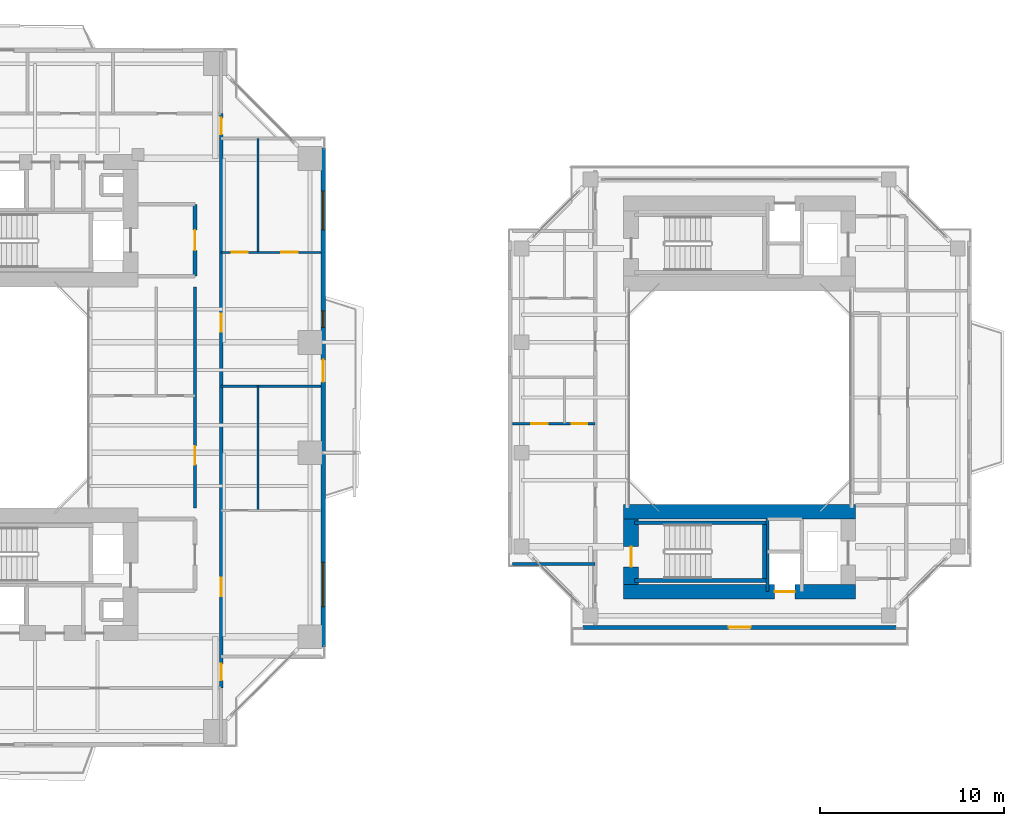
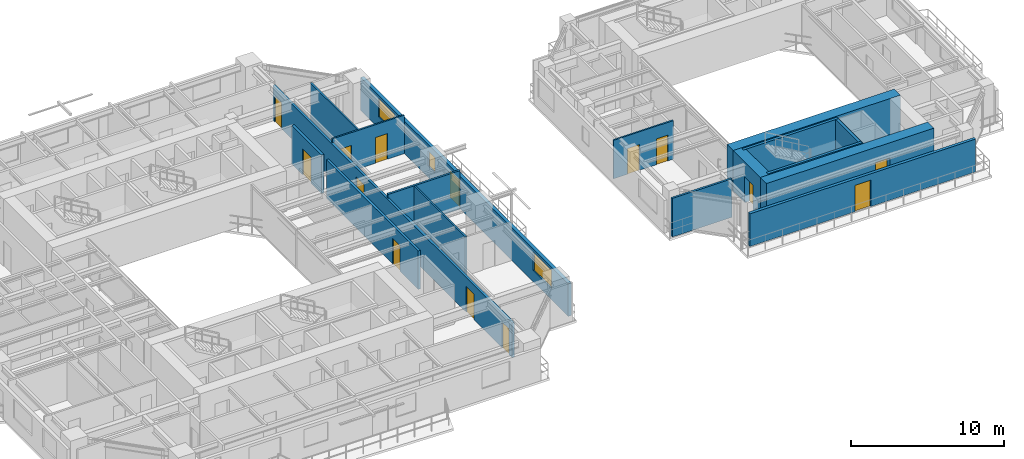
# One storey, part 15 of 24: 18 walls, 14 doors, 3 windows, 17 openings.
"""IFC4 building model written with IfcOpenShell, lengths in metres."""

from ifc_helpers import new_model, si_unit, direction, frame, frame_2d, origin, place, context, subcontext, project, spatial, rectangle, extrude, source, transform, mapped, material, layer, layer_set, type_object, element, fill, save


model = new_model("IFC4")

# Units and contexts
model_context = context("Model", 3, precision=1e-05, world=origin(), true_north=direction((0.0, 1.0)))
body_context = subcontext(model_context, "Body", "Model", "MODEL_VIEW")
ifc_project = project(units=[si_unit("LENGTHUNIT", "METRE"), si_unit("AREAUNIT", "SQUARE_METRE"), si_unit("VOLUMEUNIT", "CUBIC_METRE"), si_unit("PLANEANGLEUNIT", "RADIAN"), si_unit("MASSUNIT", "GRAM", prefix="KILO"), si_unit("THERMODYNAMICTEMPERATUREUNIT", "KELVIN"), si_unit("POWERUNIT", "WATT")], contexts=[model_context])

# Site, building, storey
site_placement = place(None, origin())
site = spatial("IfcSite", under=ifc_project, at=site_placement, CompositionType="ELEMENT")
building_placement = place(site_placement, origin())
building = spatial("IfcBuilding", under=site, at=building_placement, Name="Qiaomeng Ring Towers", CompositionType="ELEMENT")
storey_placement = place(building_placement, frame((0.0, 0.0, 69.75)))
storey = spatial("IfcBuildingStorey", under=building, at=storey_placement, Name="L19", CompositionType="ELEMENT", Elevation=69.75)

# Wall, openings, windows, door
ifc_material_1 = material(Name="Precast concrete C40", Category="concrete")
ifc_layer_1 = layer(ifc_material_1, 0.25, Name="Precast concrete C40")
ifc_layer_set_1 = layer_set([ifc_layer_1], Name="Precast concrete C40")
wall_type_1 = type_object("IfcWallType", Name="ARC-WL-EW1", PredefinedType="STANDARD", material=ifc_layer_set_1)
wall_1_placement = place(storey_placement, frame((37.875, 9.449951171875, 0.0), z_axis=(0.0, 0.0, 1.0), x_axis=(0.0, 1.0, 0.0)))
wall_1 = element("IfcWall", 1, at=wall_1_placement, inside=storey, type_object=wall_type_1, Name="L19 Tower 1 E Exterior Wall", PredefinedType="STANDARD", context=body_context, shape_type="SweptSolid", body=[
    extrude(rectangle(XDim=27.10009765625, YDim=0.25, at=frame_2d((13.550048828125, 0.0))), origin(), (0.0, 0.0, 1.0), 2.610107421875),
])
opening_1_placement = place(wall_1_placement, frame((14.39990234375, 0.0, 0.0)))
opening_1 = element("IfcOpeningElement", 2, at=opening_1_placement, cuts=wall_1, Name="Opening BD1", PredefinedType="OPENING", context=body_context, shape_type="SweptSolid", body=[
    extrude(rectangle(XDim=1.199951171875, YDim=2.10009765625, at=frame_2d((0.60009765625, 1.050048828125))), frame((0.0, 0.135009765625, 0.0), z_axis=(0.0, -1.0, 0.0), x_axis=(1.0, 0.0, 0.0)), (0.0, 0.0, 1.0), 0.27001953125),
])
opening_2_placement = place(wall_1_placement, frame((2.18798828125, 0.0, 0.89990234375)))
opening_2 = element("IfcOpeningElement", 3, at=opening_2_placement, cuts=wall_1, Name="Opening WN6", PredefinedType="OPENING", context=body_context, shape_type="SweptSolid", body=[
    extrude(rectangle(XDim=2.39990234375, YDim=1.47998046875, at=frame_2d((1.199951171875, 0.739990234375))), frame((0.0, 0.135009765625, 0.0), z_axis=(0.0, -1.0, 0.0), x_axis=(1.0, 0.0, 0.0)), (0.0, 0.0, 1.0), 0.27001953125),
])
opening_3_placement = place(wall_1_placement, frame((22.6630859375, 0.0, 0.89990234375)))
opening_3 = element("IfcOpeningElement", 4, at=opening_3_placement, cuts=wall_1, Name="Opening WN4", PredefinedType="OPENING", context=body_context, shape_type="SweptSolid", body=[
    extrude(rectangle(XDim=2.10009765625, YDim=1.47998046875, at=frame_2d((1.050048828125, 0.739990234375))), frame((0.0, 0.135009765625, 0.0), z_axis=(0.0, -1.0, 0.0), x_axis=(1.0, 0.0, 0.0)), (0.0, 0.0, 1.0), 0.27001953125),
])
opening_4_placement = place(wall_1_placement, frame((17.364990234375, 0.0, 0.89990234375)))
opening_4 = element("IfcOpeningElement", 5, at=opening_4_placement, cuts=wall_1, Name="Opening WN5", PredefinedType="OPENING", context=body_context, shape_type="SweptSolid", body=[
    extrude(rectangle(XDim=0.89990234375, YDim=1.199951171875, at=frame_2d((0.449951171875, 0.60009765625))), frame((0.0, 0.135009765625, 0.0), z_axis=(0.0, -1.0, 0.0), x_axis=(1.0, 0.0, 0.0)), (0.0, 0.0, 1.0), 0.27001953125),
])
ifc_material_2 = material(Name="Low-E dark-grey laminated double glazing", Category="glass")
window_type_1 = type_object("IfcWindowType", Name="ARC-WN-4", PartitioningType="TRIPLE_PANEL_VERTICAL", PredefinedType="WINDOW", material=ifc_material_2)
shared_shape_1 = source(origin(), body_context, "Body", "SweptSolid", [
    extrude(rectangle(XDim=2.10009765625, YDim=1.47998046875, at=frame_2d((1.050048828125, 0.739990234375))), frame((0.0, 0.030029296875, 0.0), z_axis=(0.0, -1.0, 0.0), x_axis=(1.0, 0.0, 0.0)), (0.0, 0.0, 1.0), 0.06005859375),
])
window_1_placement = place(opening_3_placement, origin())
window_1 = element("IfcWindow", 6, at=window_1_placement, inside=storey, type_object=window_type_1, Name="L19 Exterior Window WN4", OverallHeight=1.47998046875, OverallWidth=2.10009765625, PartitioningType="TRIPLE_PANEL_VERTICAL", PredefinedType="WINDOW", context=body_context, shape_type="MappedRepresentation", body=[
    mapped(shared_shape_1, transform((0.0, 0.0, 0.0), x_axis=(1.0, 0.0, 0.0), y_axis=(0.0, 1.0, 0.0), z_axis=(0.0, 0.0, 1.0), scale=1.0)),
])
fill(opening_3, window_1)
window_type_2 = type_object("IfcWindowType", Name="ARC-WN-6", PartitioningType="TRIPLE_PANEL_VERTICAL", PredefinedType="WINDOW", material=ifc_material_2)
shared_shape_2 = source(origin(), body_context, "Body", "SweptSolid", [
    extrude(rectangle(XDim=2.39990234375, YDim=1.47998046875, at=frame_2d((1.199951171875, 0.739990234375))), frame((0.0, 0.030029296875, 0.0), z_axis=(0.0, -1.0, 0.0), x_axis=(1.0, 0.0, 0.0)), (0.0, 0.0, 1.0), 0.06005859375),
])
window_2_placement = place(opening_2_placement, origin())
window_2 = element("IfcWindow", 7, at=window_2_placement, inside=storey, type_object=window_type_2, Name="L19 Exterior Window WN6", OverallHeight=1.47998046875, OverallWidth=2.39990234375, PartitioningType="TRIPLE_PANEL_VERTICAL", PredefinedType="WINDOW", context=body_context, shape_type="MappedRepresentation", body=[
    mapped(shared_shape_2, transform((0.0, 0.0, 0.0), x_axis=(1.0, 0.0, 0.0), y_axis=(0.0, 1.0, 0.0), z_axis=(0.0, 0.0, 1.0), scale=1.0)),
])
fill(opening_2, window_2)
door_type_1 = type_object("IfcDoorType", Name="ARC-DR-BD1", OperationType="NOTDEFINED", PredefinedType="DOOR", material=ifc_material_2)
shared_shape_3 = source(origin(), body_context, "Body", "SweptSolid", [
    extrude(rectangle(XDim=1.199951171875, YDim=2.10009765625, at=frame_2d((0.60009765625, 1.050048828125))), frame((0.0, 0.02490234375, 0.0), z_axis=(0.0, -1.0, 0.0), x_axis=(1.0, 0.0, 0.0)), (0.0, 0.0, 1.0), 0.050048828125),
])
door_1_placement = place(opening_1_placement, origin())
door_1 = element("IfcDoor", 8, at=door_1_placement, inside=storey, type_object=door_type_1, Name="L19 E Balcony Glazed Door", OperationType="SINGLE_SWING_LEFT", OverallHeight=2.10009765625, OverallWidth=1.199951171875, PredefinedType="DOOR", context=body_context, shape_type="MappedRepresentation", body=[
    mapped(shared_shape_3, transform((0.0, 0.0, 0.0), x_axis=(1.0, 0.0, 0.0), y_axis=(0.0, 1.0, 0.0), z_axis=(0.0, 0.0, 1.0), scale=1.0)),
])
fill(opening_1, door_1)
window_type_3 = type_object("IfcWindowType", Name="ARC-WN-5", PartitioningType="SINGLE_PANEL", PredefinedType="WINDOW", material=ifc_material_2)
shared_shape_4 = source(origin(), body_context, "Body", "SweptSolid", [
    extrude(rectangle(XDim=0.89990234375, YDim=1.199951171875, at=frame_2d((0.449951171875, 0.60009765625))), frame((0.0, 0.030029296875, 0.0), z_axis=(0.0, -1.0, 0.0), x_axis=(1.0, 0.0, 0.0)), (0.0, 0.0, 1.0), 0.06005859375),
])
window_3_placement = place(opening_4_placement, origin())
window_3 = element("IfcWindow", 9, at=window_3_placement, inside=storey, type_object=window_type_3, Name="L19 Exterior Window WN5", OverallHeight=1.199951171875, OverallWidth=0.89990234375, PartitioningType="SINGLE_PANEL", PredefinedType="WINDOW", context=body_context, shape_type="MappedRepresentation", body=[
    mapped(shared_shape_4, transform((0.0, 0.0, 0.0), x_axis=(1.0, 0.0, 0.0), y_axis=(0.0, 1.0, 0.0), z_axis=(0.0, 0.0, 1.0), scale=1.0)),
])
fill(opening_4, window_3)

# Wall, opening, door
ifc_layer_2 = layer(ifc_material_1, 0.219970703125, Name="Precast concrete C40")
ifc_layer_set_2 = layer_set([ifc_layer_2], Name="Precast concrete C40")
wall_type_2 = type_object("IfcWallType", Name="ARC-WL-EW2", PredefinedType="STANDARD", material=ifc_layer_set_2)
wall_2_placement = place(storey_placement, frame((52.0, 10.510009765625, 0.0), z_axis=(0.0, 0.0, 1.0), x_axis=(1.0, 0.0, 0.0)))
wall_2 = element("IfcWall", 10, at=wall_2_placement, inside=storey, type_object=wall_type_2, Name="L19 Companion South Setback Wall", PredefinedType="STANDARD", context=body_context, shape_type="SweptSolid", body=[
    extrude(rectangle(XDim=17.0, YDim=0.219970703125, at=frame_2d((8.5, 0.0))), origin(), (0.0, 0.0, 1.0), 2.610107421875),
])
opening_5_placement = place(wall_2_placement, frame((7.89990234375, 0.0, 0.0)))
opening_5 = element("IfcOpeningElement", 11, at=opening_5_placement, cuts=wall_2, Name="Opening BD1", PredefinedType="OPENING", context=body_context, shape_type="SweptSolid", body=[
    extrude(rectangle(XDim=1.199951171875, YDim=2.10009765625, at=frame_2d((0.60009765625, 1.050048828125))), frame((0.0, 0.119873046875, 0.0), z_axis=(0.0, -1.0, 0.0), x_axis=(1.0, 0.0, 0.0)), (0.0, 0.0, 1.0), 0.239990234375),
])
door_2_placement = place(opening_5_placement, frame((1.199951171875, 0.0, 0.0), z_axis=(0.0, 0.0, 1.0), x_axis=(-1.0, 0.0, 0.0)))
door_2 = element("IfcDoor", 12, at=door_2_placement, inside=storey, type_object=door_type_1, Name="L19 Companion Setback Terrace Door", OperationType="SINGLE_SWING_LEFT", OverallHeight=2.10009765625, OverallWidth=1.199951171875, PredefinedType="DOOR", context=body_context, shape_type="MappedRepresentation", body=[
    mapped(shared_shape_3, transform((0.0, 0.0, 0.0), x_axis=(1.0, 0.0, 0.0), y_axis=(0.0, 1.0, 0.0), z_axis=(0.0, 0.0, 1.0), scale=1.0)),
])
fill(opening_5, door_2)

ifc_material_3 = material(Name="Autoclaved aerated concrete block", Category="concrete")
ifc_layer_3 = layer(ifc_material_3, 0.199951171875, Name="Autoclaved aerated concrete block")
ifc_layer_set_3 = layer_set([ifc_layer_3], Name="Autoclaved aerated concrete block")
wall_type_3 = type_object("IfcWallType", Name="ARC-WL-PW1", PredefinedType="PARTITIONING", material=ifc_layer_set_3)
wall_3_placement = place(storey_placement, frame((30.89990234375, 29.60009765625, 0.0), z_axis=(0.0, 0.0, 1.0), x_axis=(0.0, 1.0, 0.0)))
wall_3 = element("IfcWall", 13, at=wall_3_placement, inside=storey, type_object=wall_type_3, Name="L19 Interior Wall PW1", PredefinedType="PARTITIONING", context=body_context, shape_type="SweptSolid", body=[
    extrude(rectangle(XDim=3.89990234375, YDim=0.199951171875, at=frame_2d((1.949951171875, 0.0))), origin(), (0.0, 0.0, 1.0), 3.070068359375),
])
opening_6_placement = place(wall_3_placement, frame((1.39990234375, 0.0, 0.0)))
opening_6 = element("IfcOpeningElement", 14, at=opening_6_placement, cuts=wall_3, Name="Opening FD3", PredefinedType="OPENING", context=body_context, shape_type="SweptSolid", body=[
    extrude(rectangle(XDim=1.10009765625, YDim=2.050048828125, at=frame_2d((0.550048828125, 1.02490234375))), frame((0.0, 0.10986328125, 0.0), z_axis=(0.0, -1.0, 0.0), x_axis=(1.0, 0.0, 0.0)), (0.0, 0.0, 1.0), 0.219970703125),
])
ifc_material_4 = material(Name="Galvanised steel", Category="steel")
door_type_2 = type_object("IfcDoorType", Name="ARC-DR-FD3", OperationType="NOTDEFINED", PredefinedType="DOOR", material=ifc_material_4)
shared_shape_5 = source(origin(), body_context, "Body", "SweptSolid", [
    extrude(rectangle(XDim=1.10009765625, YDim=2.050048828125, at=frame_2d((0.550048828125, 1.02490234375))), frame((0.0, 0.02490234375, 0.0), z_axis=(0.0, -1.0, 0.0), x_axis=(1.0, 0.0, 0.0)), (0.0, 0.0, 1.0), 0.050048828125),
])
door_3_placement = place(opening_6_placement, origin())
door_3 = element("IfcDoor", 15, at=door_3_placement, inside=storey, type_object=door_type_2, Name="L19 North FF Lobby Door", OperationType="SINGLE_SWING_RIGHT", OverallHeight=2.050048828125, OverallWidth=1.10009765625, PredefinedType="DOOR", context=body_context, shape_type="MappedRepresentation", body=[
    mapped(shared_shape_5, transform((0.0, 0.0, 0.0), x_axis=(1.0, 0.0, 0.0), y_axis=(0.0, 1.0, 0.0), z_axis=(0.0, 0.0, 1.0), scale=1.0)),
])
fill(opening_6, door_3)

# Wall, openings, doors
ifc_layer_4 = layer(ifc_material_3, 0.179931640625, Name="Autoclaved aerated concrete block")
ifc_layer_set_4 = layer_set([ifc_layer_4], Name="Autoclaved aerated concrete block")
wall_type_4 = type_object("IfcWallType", Name="ARC-WL-PW2", PredefinedType="PARTITIONING", material=ifc_layer_set_4)
wall_4_placement = place(storey_placement, frame((32.320068359375, 7.2099609375, 0.0), z_axis=(0.0, 0.0, 1.0), x_axis=(0.0, 1.0, 0.0)))
wall_4 = element("IfcWall", 16, at=wall_4_placement, inside=storey, type_object=wall_type_4, Name="L19 Interior Wall PW2", PredefinedType="PARTITIONING", context=body_context, shape_type="SweptSolid", body=[
    extrude(rectangle(XDim=31.22998046875, YDim=0.179931640625, at=frame_2d((15.614990234375, 0.0))), origin(), (0.0, 0.0, 1.0), 2.764892578125),
])
opening_7_placement = place(wall_4_placement, frame((30.090087890625, 0.0, 0.0)))
opening_7 = element("IfcOpeningElement", 17, at=opening_7_placement, cuts=wall_4, Name="Opening ID1", PredefinedType="OPENING", context=body_context, shape_type="SweptSolid", body=[
    extrude(rectangle(XDim=0.89990234375, YDim=2.050048828125, at=frame_2d((0.449951171875, 1.02490234375))), frame((0.0, 0.099853515625, 0.0), z_axis=(0.0, -1.0, 0.0), x_axis=(1.0, 0.0, 0.0)), (0.0, 0.0, 1.0), 0.199951171875),
])
opening_8_placement = place(wall_4_placement, frame((0.4150390625, 0.0, 0.0)))
opening_8 = element("IfcOpeningElement", 18, at=opening_8_placement, cuts=wall_4, Name="Opening ID1", PredefinedType="OPENING", context=body_context, shape_type="SweptSolid", body=[
    extrude(rectangle(XDim=0.89990234375, YDim=2.050048828125, at=frame_2d((0.449951171875, 1.02490234375))), frame((0.0, 0.099853515625, 0.0), z_axis=(0.0, -1.0, 0.0), x_axis=(1.0, 0.0, 0.0)), (0.0, 0.0, 1.0), 0.199951171875),
])
opening_9_placement = place(wall_4_placement, frame((4.989990234375, 0.0, 0.0)))
opening_9 = element("IfcOpeningElement", 19, at=opening_9_placement, cuts=wall_4, Name="Opening FD4", PredefinedType="OPENING", context=body_context, shape_type="SweptSolid", body=[
    extrude(rectangle(XDim=1.0, YDim=2.050048828125, at=frame_2d((0.5, 1.02490234375))), frame((0.0, 0.099853515625, 0.0), z_axis=(0.0, -1.0, 0.0), x_axis=(1.0, 0.0, 0.0)), (0.0, 0.0, 1.0), 0.199951171875),
])
opening_10_placement = place(wall_4_placement, frame((19.35498046875, 0.0, 0.0)))
opening_10 = element("IfcOpeningElement", 20, at=opening_10_placement, cuts=wall_4, Name="Opening FD4", PredefinedType="OPENING", context=body_context, shape_type="SweptSolid", body=[
    extrude(rectangle(XDim=1.0, YDim=2.050048828125, at=frame_2d((0.5, 1.02490234375))), frame((0.0, 0.099853515625, 0.0), z_axis=(0.0, -1.0, 0.0), x_axis=(1.0, 0.0, 0.0)), (0.0, 0.0, 1.0), 0.199951171875),
])
ifc_material_5 = material(Name="Engineered fire-rated oak timber", Category="wood")
door_type_3 = type_object("IfcDoorType", Name="ARC-DR-FD4", OperationType="NOTDEFINED", PredefinedType="DOOR", material=ifc_material_5)
shared_shape_6 = source(origin(), body_context, "Body", "SweptSolid", [
    extrude(rectangle(XDim=1.0, YDim=2.050048828125, at=frame_2d((0.5, 1.02490234375))), frame((0.0, 0.02490234375, 0.0), z_axis=(0.0, -1.0, 0.0), x_axis=(1.0, 0.0, 0.0)), (0.0, 0.0, 1.0), 0.050048828125),
])
door_4_placement = place(opening_9_placement, origin())
door_4 = element("IfcDoor", 21, at=door_4_placement, inside=storey, type_object=door_type_3, Name="L19 Door FD4", OperationType="SINGLE_SWING_RIGHT", OverallHeight=2.050048828125, OverallWidth=1.0, PredefinedType="DOOR", context=body_context, shape_type="MappedRepresentation", body=[
    mapped(shared_shape_6, transform((0.0, 0.0, 0.0), x_axis=(1.0, 0.0, 0.0), y_axis=(0.0, 1.0, 0.0), z_axis=(0.0, 0.0, 1.0), scale=1.0)),
])
fill(opening_9, door_4)
door_5_placement = place(opening_10_placement, origin())
door_5 = element("IfcDoor", 22, at=door_5_placement, inside=storey, type_object=door_type_3, Name="L19 Door FD4", OperationType="SINGLE_SWING_LEFT", OverallHeight=2.050048828125, OverallWidth=1.0, PredefinedType="DOOR", context=body_context, shape_type="MappedRepresentation", body=[
    mapped(shared_shape_6, transform((0.0, 0.0, 0.0), x_axis=(1.0, 0.0, 0.0), y_axis=(0.0, 1.0, 0.0), z_axis=(0.0, 0.0, 1.0), scale=1.0)),
])
fill(opening_10, door_5)
ifc_material_6 = material(Name="Engineered oak timber", Category="wood")
door_type_4 = type_object("IfcDoorType", Name="ARC-DR-ID1", OperationType="NOTDEFINED", PredefinedType="DOOR", material=ifc_material_6)
shared_shape_7 = source(origin(), body_context, "Body", "SweptSolid", [
    extrude(rectangle(XDim=0.89990234375, YDim=2.050048828125, at=frame_2d((0.449951171875, 1.02490234375))), frame((0.0, 0.02490234375, 0.0), z_axis=(0.0, -1.0, 0.0), x_axis=(1.0, 0.0, 0.0)), (0.0, 0.0, 1.0), 0.050048828125),
])
door_6_placement = place(opening_7_placement, origin())
door_6 = element("IfcDoor", 23, at=door_6_placement, inside=storey, type_object=door_type_4, Name="L19 Door ID1", OperationType="SINGLE_SWING_RIGHT", OverallHeight=2.050048828125, OverallWidth=0.89990234375, PredefinedType="DOOR", context=body_context, shape_type="MappedRepresentation", body=[
    mapped(shared_shape_7, transform((0.0, 0.0, 0.0), x_axis=(1.0, 0.0, 0.0), y_axis=(0.0, 1.0, 0.0), z_axis=(0.0, 0.0, 1.0), scale=1.0)),
])
fill(opening_7, door_6)
door_7_placement = place(opening_8_placement, origin())
door_7 = element("IfcDoor", 24, at=door_7_placement, inside=storey, type_object=door_type_4, Name="L19 Door ID1", OperationType="SINGLE_SWING_LEFT", OverallHeight=2.050048828125, OverallWidth=0.89990234375, PredefinedType="DOOR", context=body_context, shape_type="MappedRepresentation", body=[
    mapped(shared_shape_7, transform((0.0, 0.0, 0.0), x_axis=(1.0, 0.0, 0.0), y_axis=(0.0, 1.0, 0.0), z_axis=(0.0, 0.0, 1.0), scale=1.0)),
])
fill(opening_8, door_7)

# Wall, opening, door
wall_5_placement = place(storey_placement, frame((30.89990234375, 17.0, 0.0), z_axis=(0.0, 0.0, 1.0), x_axis=(0.0, 1.0, 0.0)))
wall_5 = element("IfcWall", 25, at=wall_5_placement, inside=storey, type_object=wall_type_4, Name="L19 Interior Wall PW2", PredefinedType="PARTITIONING", context=body_context, shape_type="SweptSolid", body=[
    extrude(rectangle(XDim=12.0, YDim=0.179931640625, at=frame_2d((6.0, 0.0))), origin(), (0.0, 0.0, 1.0), 3.070068359375),
])
opening_11_placement = place(wall_5_placement, frame((2.360107421875, 0.0, 0.0)))
opening_11 = element("IfcOpeningElement", 26, at=opening_11_placement, cuts=wall_5, Name="Opening FD4", PredefinedType="OPENING", context=body_context, shape_type="SweptSolid", body=[
    extrude(rectangle(XDim=1.0, YDim=2.050048828125, at=frame_2d((0.5, 1.02490234375))), frame((0.0, 0.099853515625, 0.0), z_axis=(0.0, -1.0, 0.0), x_axis=(1.0, 0.0, 0.0)), (0.0, 0.0, 1.0), 0.199951171875),
])
door_8_placement = place(opening_11_placement, origin())
door_8 = element("IfcDoor", 27, at=door_8_placement, inside=storey, type_object=door_type_3, Name="L19 Door FD4", OperationType="SINGLE_SWING_RIGHT", OverallHeight=2.050048828125, OverallWidth=1.0, PredefinedType="DOOR", context=body_context, shape_type="MappedRepresentation", body=[
    mapped(shared_shape_6, transform((0.0, 0.0, 0.0), x_axis=(1.0, 0.0, 0.0), y_axis=(0.0, 1.0, 0.0), z_axis=(0.0, 0.0, 1.0), scale=1.0)),
])
fill(opening_11, door_8)

# Walls
ifc_material_7 = material(Name="Gypsum fireboard steel-stud partition", Category="steel")
ifc_layer_5 = layer(ifc_material_7, 0.14990234375, Name="Gypsum fireboard steel-stud partition")
ifc_layer_set_5 = layer_set([ifc_layer_5], Name="Gypsum fireboard steel-stud partition")
wall_type_5 = type_object("IfcWallType", Name="ARC-WL-PW3", PredefinedType="PARTITIONING", material=ifc_layer_set_5)
wall_6_placement = place(storey_placement, frame((32.320068359375, 23.6201171875, 0.0), z_axis=(0.0, 0.0, 1.0), x_axis=(1.0, 0.0, 0.0)))
element("IfcWall", 28, at=wall_6_placement, inside=storey, type_object=wall_type_5, Name="L19 Interior Wall PW3", PredefinedType="PARTITIONING", context=body_context, shape_type="SweptSolid", body=[
    extrude(rectangle(XDim=5.429931640625, YDim=0.14990234375, at=frame_2d((2.71484375, 0.0))), origin(), (0.0, 0.0, 1.0), 3.070068359375),
])
wall_7_placement = place(storey_placement, frame((48.14990234375, 13.949951171875, 0.0), z_axis=(0.0, 0.0, 1.0), x_axis=(1.0, 0.0, 0.0)))
element("IfcWall", 29, at=wall_7_placement, inside=storey, type_object=wall_type_5, Name="L19 Interior Wall PW3", PredefinedType="PARTITIONING", context=body_context, shape_type="SweptSolid", body=[
    extrude(rectangle(XDim=4.5, YDim=0.14990234375, at=frame_2d((2.25, 0.0))), origin(), (0.0, 0.0, 1.0), 3.070068359375),
])
ifc_material_8 = material(Name="Moisture-resistant gypsum steel-stud partition", Category="steel")
ifc_layer_6 = layer(ifc_material_8, 0.1201171875, Name="Moisture-resistant gypsum steel-stud partition")
ifc_layer_set_6 = layer_set([ifc_layer_6], Name="Moisture-resistant gypsum steel-stud partition")
wall_type_6 = type_object("IfcWallType", Name="ARC-WL-PW4", PredefinedType="PLUMBINGWALL", material=ifc_layer_set_6)
wall_8_placement = place(storey_placement, frame((34.330078125, 16.860107421875, 0.0), z_axis=(0.0, 0.0, 1.0), x_axis=(0.0, 1.0, 0.0)))
element("IfcWall", 30, at=wall_8_placement, inside=storey, type_object=wall_type_6, Name="L19 Interior Wall PW4", PredefinedType="PLUMBINGWALL", context=body_context, shape_type="SweptSolid", body=[
    extrude(rectangle(XDim=6.760009765625, YDim=0.1201171875, at=frame_2d((3.3798828125, 0.0))), origin(), (0.0, 0.0, 1.0), 3.070068359375),
])

# Wall, openings, doors
wall_9_placement = place(storey_placement, frame((32.320068359375, 30.889892578125, 0.0), z_axis=(0.0, 0.0, 1.0), x_axis=(1.0, 0.0, 0.0)))
wall_9 = element("IfcWall", 31, at=wall_9_placement, inside=storey, type_object=wall_type_6, Name="L19 Interior Wall PW4", PredefinedType="PLUMBINGWALL", context=body_context, shape_type="SweptSolid", body=[
    extrude(rectangle(XDim=5.429931640625, YDim=0.1201171875, at=frame_2d((2.71484375, 0.0))), origin(), (0.0, 0.0, 1.0), 3.070068359375),
])
opening_12_placement = place(wall_9_placement, frame((0.590087890625, 0.0, 0.0)))
opening_12 = element("IfcOpeningElement", 32, at=opening_12_placement, cuts=wall_9, Name="Opening ID2", PredefinedType="OPENING", context=body_context, shape_type="SweptSolid", body=[
    extrude(rectangle(XDim=0.85009765625, YDim=2.050048828125, at=frame_2d((0.425048828125, 1.02490234375))), frame((0.0, 0.070068359375, 0.0), z_axis=(0.0, -1.0, 0.0), x_axis=(1.0, 0.0, 0.0)), (0.0, 0.0, 1.0), 0.14013671875),
])
opening_13_placement = place(wall_9_placement, frame((3.260009765625, 0.0, 0.0)))
opening_13 = element("IfcOpeningElement", 33, at=opening_13_placement, cuts=wall_9, Name="Opening ID1", PredefinedType="OPENING", context=body_context, shape_type="SweptSolid", body=[
    extrude(rectangle(XDim=0.89990234375, YDim=2.050048828125, at=frame_2d((0.449951171875, 1.02490234375))), frame((0.0, 0.070068359375, 0.0), z_axis=(0.0, -1.0, 0.0), x_axis=(1.0, 0.0, 0.0)), (0.0, 0.0, 1.0), 0.14013671875),
])
ifc_material_9 = material(Name="Moisture-resistant engineered timber", Category="wood")
door_type_5 = type_object("IfcDoorType", Name="ARC-DR-ID2", OperationType="NOTDEFINED", PredefinedType="DOOR", material=ifc_material_9)
shared_shape_8 = source(origin(), body_context, "Body", "SweptSolid", [
    extrude(rectangle(XDim=0.85009765625, YDim=2.050048828125, at=frame_2d((0.425048828125, 1.02490234375))), frame((0.0, 0.02490234375, 0.0), z_axis=(0.0, -1.0, 0.0), x_axis=(1.0, 0.0, 0.0)), (0.0, 0.0, 1.0), 0.050048828125),
])
door_9_placement = place(opening_12_placement, origin())
door_9 = element("IfcDoor", 34, at=door_9_placement, inside=storey, type_object=door_type_5, Name="L19 Door ID2", OperationType="SINGLE_SWING_LEFT", OverallHeight=2.050048828125, OverallWidth=0.85009765625, PredefinedType="DOOR", context=body_context, shape_type="MappedRepresentation", body=[
    mapped(shared_shape_8, transform((0.0, 0.0, 0.0), x_axis=(1.0, 0.0, 0.0), y_axis=(0.0, 1.0, 0.0), z_axis=(0.0, 0.0, 1.0), scale=1.0)),
])
fill(opening_12, door_9)
door_10_placement = place(opening_13_placement, origin())
door_10 = element("IfcDoor", 35, at=door_10_placement, inside=storey, type_object=door_type_4, Name="L19 Door ID1", OperationType="SINGLE_SWING_RIGHT", OverallHeight=2.050048828125, OverallWidth=0.89990234375, PredefinedType="DOOR", context=body_context, shape_type="MappedRepresentation", body=[
    mapped(shared_shape_7, transform((0.0, 0.0, 0.0), x_axis=(1.0, 0.0, 0.0), y_axis=(0.0, 1.0, 0.0), z_axis=(0.0, 0.0, 1.0), scale=1.0)),
])
fill(opening_13, door_10)

# Wall
wall_10_placement = place(storey_placement, frame((34.330078125, 30.889892578125, 0.0), z_axis=(0.0, 0.0, 1.0), x_axis=(0.0, 1.0, 0.0)))
element("IfcWall", 36, at=wall_10_placement, inside=storey, type_object=wall_type_6, Name="L19 Interior Wall PW4", PredefinedType="PLUMBINGWALL", context=body_context, shape_type="SweptSolid", body=[
    extrude(rectangle(XDim=6.190185546875, YDim=0.1201171875, at=frame_2d((3.09521484375, 0.0))), origin(), (0.0, 0.0, 1.0), 3.070068359375),
])

# Wall, openings, doors
wall_11_placement = place(storey_placement, frame((48.14990234375, 21.580078125, 0.0), z_axis=(0.0, 0.0, 1.0), x_axis=(1.0, 0.0, 0.0)))
wall_11 = element("IfcWall", 37, at=wall_11_placement, inside=storey, type_object=wall_type_6, Name="L19 Interior Wall PW4", PredefinedType="PLUMBINGWALL", context=body_context, shape_type="SweptSolid", body=[
    extrude(rectangle(XDim=4.5, YDim=0.1201171875, at=frame_2d((2.25, 0.0))), origin(), (0.0, 0.0, 1.0), 3.070068359375),
])
opening_14_placement = place(wall_11_placement, frame((1.035888671875, 0.0, 0.0)))
opening_14 = element("IfcOpeningElement", 38, at=opening_14_placement, cuts=wall_11, Name="Opening ID1", PredefinedType="OPENING", context=body_context, shape_type="SweptSolid", body=[
    extrude(rectangle(XDim=0.89990234375, YDim=2.050048828125, at=frame_2d((0.449951171875, 1.02490234375))), frame((0.0, 0.070068359375, 0.0), z_axis=(0.0, -1.0, 0.0), x_axis=(1.0, 0.0, 0.0)), (0.0, 0.0, 1.0), 0.14013671875),
])
opening_15_placement = place(wall_11_placement, frame((3.22998046875, 0.0, 0.0)))
opening_15 = element("IfcOpeningElement", 39, at=opening_15_placement, cuts=wall_11, Name="Opening ID2", PredefinedType="OPENING", context=body_context, shape_type="SweptSolid", body=[
    extrude(rectangle(XDim=0.85009765625, YDim=2.050048828125, at=frame_2d((0.425048828125, 1.02490234375))), frame((0.0, 0.070068359375, 0.0), z_axis=(0.0, -1.0, 0.0), x_axis=(1.0, 0.0, 0.0)), (0.0, 0.0, 1.0), 0.14013671875),
])
door_11_placement = place(opening_15_placement, origin())
door_11 = element("IfcDoor", 40, at=door_11_placement, inside=storey, type_object=door_type_5, Name="L19 Door ID2", OperationType="SINGLE_SWING_RIGHT", OverallHeight=2.050048828125, OverallWidth=0.85009765625, PredefinedType="DOOR", context=body_context, shape_type="MappedRepresentation", body=[
    mapped(shared_shape_8, transform((0.0, 0.0, 0.0), x_axis=(1.0, 0.0, 0.0), y_axis=(0.0, 1.0, 0.0), z_axis=(0.0, 0.0, 1.0), scale=1.0)),
])
fill(opening_15, door_11)
door_12_placement = place(opening_14_placement, origin())
door_12 = element("IfcDoor", 41, at=door_12_placement, inside=storey, type_object=door_type_4, Name="L19 Door ID1", OperationType="SINGLE_SWING_LEFT", OverallHeight=2.050048828125, OverallWidth=0.89990234375, PredefinedType="DOOR", context=body_context, shape_type="MappedRepresentation", body=[
    mapped(shared_shape_7, transform((0.0, 0.0, 0.0), x_axis=(1.0, 0.0, 0.0), y_axis=(0.0, 1.0, 0.0), z_axis=(0.0, 0.0, 1.0), scale=1.0)),
])
fill(opening_14, door_12)

# Walls
ifc_material_10 = material(Name="Concrete C40", Category="concrete")
ifc_layer_7 = layer(ifc_material_10, 0.199951171875, Name="Concrete C40")
ifc_layer_set_7 = layer_set([ifc_layer_7], Name="Concrete C40")
wall_type_7 = type_object("IfcWallType", Name="STR-WL-STSHAFT", PredefinedType="SHEAR", material=ifc_layer_set_7)
wall_12_placement = place(storey_placement, frame((62.02001953125, 12.449951171875, 0.0), z_axis=(0.0, 0.0, 1.0), x_axis=(0.0, 1.0, 0.0)))
element("IfcWall", 42, at=wall_12_placement, inside=storey, type_object=wall_type_7, Name="L19 Companion Lift Shaft West Wall S", PredefinedType="SHEAR", context=body_context, shape_type="SweptSolid", body=[
    extrude(rectangle(XDim=3.949951171875, YDim=0.179931640625, at=frame_2d((1.97509765625, 0.0))), origin(), (0.0, 0.0, 1.0), 3.070068359375),
])
for number, where, z_axis, x_axis, name in (
    (43, (54.800048828125, 13.06005859375, 0.0), (0.0, 0.0, 1.0), (1.0, 0.0, 0.0), "L19 Stair ST6 South Shaft Shear Wall"),
    (44, (54.800048828125, 16.199951171875, 0.0), (0.0, 0.0, 1.0), (1.0, 0.0, 0.0), "L19 Stair ST6 North Shaft Shear Wall"),
):
    element("IfcWall", number, at=place(storey_placement, frame(where, z_axis=z_axis, x_axis=x_axis)), inside=storey, type_object=wall_type_7, Name=name, PredefinedType="SHEAR", context=body_context, shape_type="SweptSolid", body=[
        extrude(rectangle(XDim=7.14990234375, YDim=0.199951171875, at=frame_2d((3.574951171875, 0.0))), origin(), (0.0, 0.0, 1.0), 3.25),
    ])
wall_13_placement = place(storey_placement, frame((61.85009765625, 13.159912109375, 0.0), z_axis=(0.0, 0.0, 1.0), x_axis=(0.0, 1.0, 0.0)))
element("IfcWall", 45, at=wall_13_placement, inside=storey, type_object=wall_type_7, Name="L19 Stair ST6 East Shaft Shear Wall", PredefinedType="SHEAR", context=body_context, shape_type="SweptSolid", body=[
    extrude(rectangle(XDim=2.940185546875, YDim=0.199951171875, at=frame_2d((1.47021484375, 0.0))), origin(), (0.0, 0.0, 1.0), 3.25),
])

# Wall, opening, door
ifc_material_11 = material(Name="Concrete C60", Category="concrete")
ifc_layer_8 = layer(ifc_material_11, 0.800048828125, Name="Concrete C60")
ifc_layer_set_8 = layer_set([ifc_layer_8], Name="Concrete C60")
wall_type_8 = type_object("IfcWallType", Name="STR-WL-SW1", PredefinedType="SHEAR", material=ifc_layer_set_8)
wall_14_placement = place(storey_placement, frame((54.199951171875, 12.449951171875, 0.0), z_axis=(0.0, 0.0, 1.0), x_axis=(1.0, 0.0, 0.0)))
wall_14 = element("IfcWall", 46, at=wall_14_placement, inside=storey, type_object=wall_type_8, Name="L19 T2SC south core shear wall", PredefinedType="SHEAR", context=body_context, shape_type="SweptSolid", body=[
    extrude(rectangle(XDim=12.60009765625, YDim=0.800048828125, at=frame_2d((6.300048828125, 0.0))), origin(), (0.0, 0.0, 1.0), 3.25),
])
opening_16_placement = place(wall_14_placement, frame((8.199951171875, 0.0, 0.0)))
opening_16 = element("IfcOpeningElement", 47, at=opening_16_placement, cuts=wall_14, Name="Opening LD1", PredefinedType="OPENING", context=body_context, shape_type="SweptSolid", body=[
    extrude(rectangle(XDim=1.10009765625, YDim=2.050048828125, at=frame_2d((0.550048828125, 1.02490234375))), frame((0.0, 0.409912109375, 0.0), z_axis=(0.0, -1.0, 0.0), x_axis=(1.0, 0.0, 0.0)), (0.0, 0.0, 1.0), 0.820068359375),
])
ifc_material_12 = material(Name="Stainless steel 316", Category="steel")
door_type_6 = type_object("IfcDoorType", Name="ARC-DR-LD1", OperationType="NOTDEFINED", PredefinedType="DOOR", material=ifc_material_12)
door_13_placement = place(opening_16_placement, origin())
door_13 = element("IfcDoor", 48, at=door_13_placement, inside=storey, type_object=door_type_6, Name="L19 Companion Lift LP8 Landing Door", OperationType="SLIDING_TO_RIGHT", OverallHeight=2.050048828125, OverallWidth=1.10009765625, PredefinedType="DOOR", context=body_context, shape_type="MappedRepresentation", body=[
    mapped(shared_shape_5, transform((0.0, 0.0, 0.0), x_axis=(1.0, 0.0, 0.0), y_axis=(0.0, 1.0, 0.0), z_axis=(0.0, 0.0, 1.0), scale=1.0)),
])
fill(opening_16, door_13)

# Wall
wall_15_placement = place(storey_placement, frame((54.199951171875, 16.800048828125, 0.0), z_axis=(0.0, 0.0, 1.0), x_axis=(1.0, 0.0, 0.0)))
element("IfcWall", 49, at=wall_15_placement, inside=storey, type_object=wall_type_8, Name="L19 T2SC north core shear wall", PredefinedType="SHEAR", context=body_context, shape_type="SweptSolid", body=[
    extrude(rectangle(XDim=12.60009765625, YDim=0.800048828125, at=frame_2d((6.300048828125, 0.0))), origin(), (0.0, 0.0, 1.0), 3.25),
])

# Wall, opening, door
wall_16_placement = place(storey_placement, frame((54.60009765625, 12.85009765625, 0.0), z_axis=(0.0, 0.0, 1.0), x_axis=(0.0, 1.0, 0.0)))
wall_16 = element("IfcWall", 50, at=wall_16_placement, inside=storey, type_object=wall_type_8, Name="L19 T2SC west core shear wall", PredefinedType="SHEAR", context=body_context, shape_type="SweptSolid", body=[
    extrude(rectangle(XDim=3.5498046875, YDim=0.800048828125, at=frame_2d((1.77490234375, 0.0))), origin(), (0.0, 0.0, 1.0), 3.25),
])
opening_17_placement = place(wall_16_placement, frame((0.949951171875, 0.0, 0.0)))
opening_17 = element("IfcOpeningElement", 51, at=opening_17_placement, cuts=wall_16, Name="Opening FD3", PredefinedType="OPENING", context=body_context, shape_type="SweptSolid", body=[
    extrude(rectangle(XDim=1.10009765625, YDim=2.050048828125, at=frame_2d((0.550048828125, 1.02490234375))), frame((0.0, 0.409912109375, 0.0), z_axis=(0.0, -1.0, 0.0), x_axis=(1.0, 0.0, 0.0)), (0.0, 0.0, 1.0), 0.820068359375),
])
door_14_placement = place(opening_17_placement, origin())
door_14 = element("IfcDoor", 52, at=door_14_placement, inside=storey, type_object=door_type_2, Name="L19 Stair ST6 Exit Door", OperationType="SINGLE_SWING_RIGHT", OverallHeight=2.050048828125, OverallWidth=1.10009765625, PredefinedType="DOOR", context=body_context, shape_type="MappedRepresentation", body=[
    mapped(shared_shape_5, transform((0.0, 0.0, 0.0), x_axis=(1.0, 0.0, 0.0), y_axis=(0.0, 1.0, 0.0), z_axis=(0.0, 0.0, 1.0), scale=1.0)),
])
fill(opening_17, door_14)

save(model, "model.ifc")
